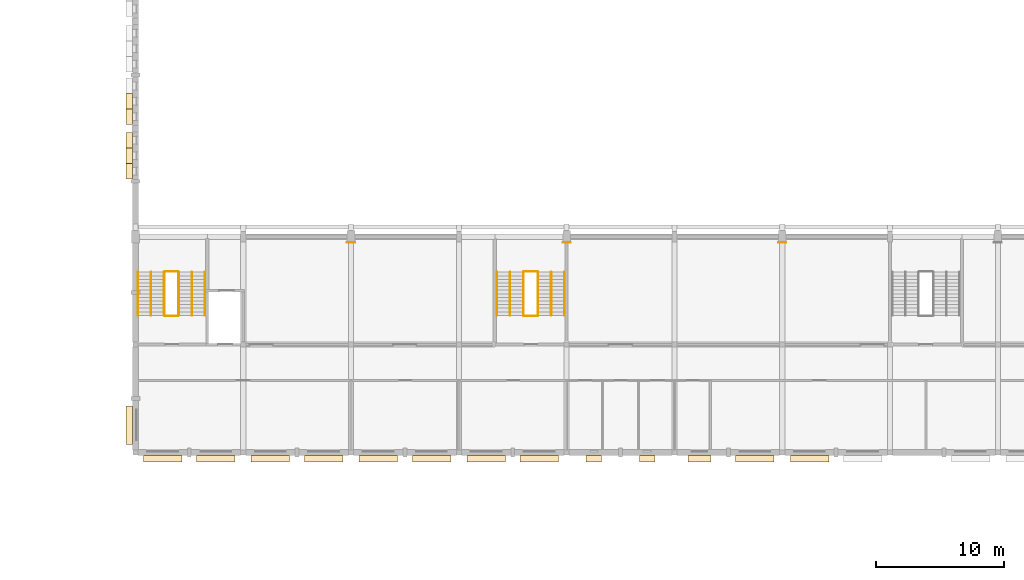
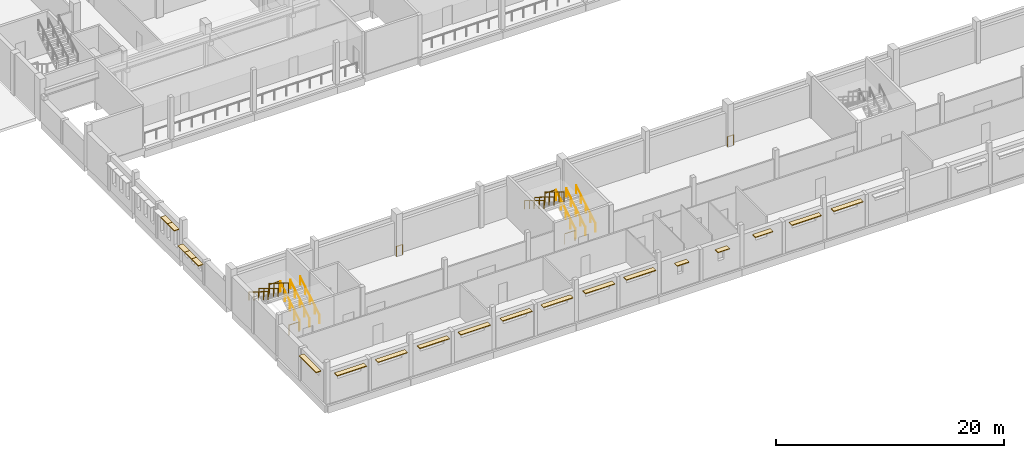
# One storey, part 51 of 60: 19 coverings, 19 railings.
"""IFC4 building model written with IfcOpenShell, lengths in metres."""

from ifc_helpers import new_model, si_unit, direction, frame, origin, origin_2d, place, context, subcontext, project, spatial, rectangle, circle, extrude, material, layer, layer_set, type_object, element, save


model = new_model("IFC4")

# Units and contexts
model_context = context("Model", 3, precision=1e-05, world=origin(), true_north=direction((0.0, 1.0)))
body_context = subcontext(model_context, "Body", "Model", "MODEL_VIEW")
ifc_project = project(units=[si_unit("LENGTHUNIT", "METRE"), si_unit("AREAUNIT", "SQUARE_METRE"), si_unit("VOLUMEUNIT", "CUBIC_METRE"), si_unit("PLANEANGLEUNIT", "RADIAN"), si_unit("MASSUNIT", "GRAM", prefix="KILO")], contexts=[model_context])

# Site, building, storey
site_placement = place(None, origin())
site = spatial("IfcSite", under=ifc_project, at=site_placement, CompositionType="ELEMENT")
building_placement = place(site_placement, origin())
building = spatial("IfcBuilding", under=site, at=building_placement, Name="Fescue Hill Polytechnic", CompositionType="ELEMENT")
storey_placement = place(building_placement, frame((0.0, 0.0, 4.5)))
storey = spatial("IfcBuildingStorey", under=building, at=storey_placement, Name="L01", CompositionType="ELEMENT", Elevation=4.5)

# Coverings
ifc_material_1 = material(Name="Precast concrete C40/50", Category="concrete")
ifc_layer = layer(ifc_material_1, 0.080078125)
ifc_layer_set = layer_set([ifc_layer], Name="Precast concrete C40/50")
covering_type = type_object("IfcCoveringType", Name="Shade blade precast 500x80", PredefinedType="CLADDING", material=ifc_layer_set)
for number, where, z_axis, x_axis, name in (
    (1, (-0.489990234375, 2.125, 3.050048828125), (0.0, 0.0, 1.0), (0.0, -1.0, 0.0), "SB-L01-V1-1"),
    (2, (2.125, -0.489990234375, 3.050048828125), (0.0, 0.0, 1.0), (1.0, 0.0, 0.0), "SB-L01-V1-2"),
    (3, (6.27490234375, -0.489990234375, 3.050048828125), (0.0, 0.0, 1.0), (1.0, 0.0, 0.0), "SB-L01-V1-3"),
    (4, (10.52490234375, -0.489990234375, 3.050048828125), (0.0, 0.0, 1.0), (1.0, 0.0, 0.0), "SB-L01-V1-4"),
    (5, (14.675048828125, -0.489990234375, 3.050048828125), (0.0, 0.0, 1.0), (1.0, 0.0, 0.0), "SB-L01-V1-5"),
    (6, (18.925048828125, -0.489990234375, 3.050048828125), (0.0, 0.0, 1.0), (1.0, 0.0, 0.0), "SB-L01-V1-6"),
    (7, (23.074951171875, -0.489990234375, 3.050048828125), (0.0, 0.0, 1.0), (1.0, 0.0, 0.0), "SB-L01-V1-7"),
    (8, (27.324951171875, -0.489990234375, 3.050048828125), (0.0, 0.0, 1.0), (1.0, 0.0, 0.0), "SB-L01-V1-8"),
    (9, (31.47509765625, -0.489990234375, 3.050048828125), (0.0, 0.0, 1.0), (1.0, 0.0, 0.0), "SB-L01-V1-9"),
):
    element("IfcCovering", number, at=place(storey_placement, frame(where, z_axis=z_axis, x_axis=x_axis)), inside=storey, type_object=covering_type, Name=name, PredefinedType="CLADDING", context=body_context, shape_type="SweptSolid", body=[
        extrude(rectangle(XDim=3.0, YDim=0.5, at=origin_2d()), origin(), (0.0, 0.0, 1.0), 0.080078125),
    ])
for number, where, z_axis, x_axis, name in (
    (10, (35.72509765625, -0.489990234375, 2.75), (0.0, 0.0, 1.0), (1.0, 0.0, 0.0), "SB-L01-V1-10"),
    (11, (39.875, -0.489990234375, 2.75), (0.0, 0.0, 1.0), (1.0, 0.0, 0.0), "SB-L01-V1-11"),
):
    element("IfcCovering", number, at=place(storey_placement, frame(where, z_axis=z_axis, x_axis=x_axis)), inside=storey, type_object=covering_type, Name=name, PredefinedType="CLADDING", context=body_context, shape_type="SweptSolid", body=[
        extrude(rectangle(XDim=1.199951171875, YDim=0.5, at=origin_2d()), origin(), (0.0, 0.0, 1.0), 0.080078125),
    ])
covering_placement = place(storey_placement, frame((43.949951171875, -0.489990234375, 3.050048828125), z_axis=(0.0, 0.0, 1.0), x_axis=(1.0, 0.0, 0.0)))
element("IfcCovering", 12, at=covering_placement, inside=storey, type_object=covering_type, Name="SB-L01-V1-12", PredefinedType="CLADDING", context=body_context, shape_type="SweptSolid", body=[
    extrude(rectangle(XDim=1.800048828125, YDim=0.5, at=origin_2d()), origin(), (0.0, 0.0, 1.0), 0.080078125),
])
for number, where, z_axis, x_axis, name in (
    (13, (48.27490234375, -0.489990234375, 3.050048828125), (0.0, 0.0, 1.0), (1.0, 0.0, 0.0), "SB-L01-V1-13"),
    (14, (52.52490234375, -0.489990234375, 3.050048828125), (0.0, 0.0, 1.0), (1.0, 0.0, 0.0), "SB-L01-V1-14"),
):
    element("IfcCovering", number, at=place(storey_placement, frame(where, z_axis=z_axis, x_axis=x_axis)), inside=storey, type_object=covering_type, Name=name, PredefinedType="CLADDING", context=body_context, shape_type="SweptSolid", body=[
        extrude(rectangle(XDim=3.0, YDim=0.5, at=origin_2d()), origin(), (0.0, 0.0, 1.0), 0.080078125),
    ])
for number, where, z_axis, x_axis, name in (
    (15, (-0.489990234375, 27.35009765625, 3.14990234375), (0.0, 0.0, 1.0), (0.0, -1.0, 0.0), "SB-L01-V1-35"),
    (16, (-0.489990234375, 26.14990234375, 3.14990234375), (0.0, 0.0, 1.0), (0.0, -1.0, 0.0), "SB-L01-V1-36"),
    (17, (-0.489990234375, 24.3125, 1.949951171875), (0.0, 0.0, 1.0), (0.0, -1.0, 0.0), "SB-L01-V1-37"),
    (18, (-0.489990234375, 23.112548828125, 1.949951171875), (0.0, 0.0, 1.0), (0.0, -1.0, 0.0), "SB-L01-V1-38"),
    (19, (-0.489990234375, 21.91259765625, 1.949951171875), (0.0, 0.0, 1.0), (0.0, -1.0, 0.0), "SB-L01-V1-39"),
):
    element("IfcCovering", number, at=place(storey_placement, frame(where, z_axis=z_axis, x_axis=x_axis)), inside=storey, type_object=covering_type, Name=name, PredefinedType="CLADDING", context=body_context, shape_type="SweptSolid", body=[
        extrude(rectangle(XDim=1.199951171875, YDim=0.5, at=origin_2d()), origin(), (0.0, 0.0, 1.0), 0.080078125),
    ])

# Railings
ifc_material_2 = material(Name="Steel 350W (350 MPa)", Category="steel")
railing_type_1 = type_object("IfcRailingType", Name="Stair guard steel 1100", PredefinedType="GUARDRAIL", material=ifc_material_2)
railing_1_placement = place(storey_placement, frame((3.375, 10.675048828125, 0.173095703125)))
element("IfcRailing", 20, at=railing_1_placement, inside=storey, type_object=railing_type_1, Name="L01 ST-V1-1 stair guard 1", PredefinedType="GUARDRAIL", context=body_context, shape_type="SweptSolid", body=[
    extrude(circle(Radius=0.02392578125, at=origin_2d()), frame((0.0, 0.0, 1.076171875), z_axis=(0.0, 0.850606129759, 0.525803396734), x_axis=(-1.0, 0.0, 0.0)), (0.0, 0.0, 1.0), 3.949951171875),
    extrude(circle(Radius=0.02099609375, at=origin_2d()), origin(), (0.0, 0.0, 1.0), 1.052001953125),
    extrude(circle(Radius=0.02099609375, at=origin_2d()), frame((0.0, 0.83984375, 0.519287109375)), (0.0, 0.0, 1.0), 1.052001953125),
    extrude(circle(Radius=0.02099609375, at=origin_2d()), frame((0.0, 1.679931640625, 1.03857421875)), (0.0, 0.0, 1.0), 1.052001953125),
    extrude(circle(Radius=0.02099609375, at=origin_2d()), frame((0.0, 2.52001953125, 1.5576171875)), (0.0, 0.0, 1.0), 1.052001953125),
    extrude(circle(Radius=0.02099609375, at=origin_2d()), frame((0.0, 3.35986328125, 2.076904296875)), (0.0, 0.0, 1.0), 1.052001953125),
])
railing_2_placement = place(storey_placement, frame((3.324951171875, 14.0849609375, 2.25)))
element("IfcRailing", 21, at=railing_2_placement, inside=storey, type_object=railing_type_1, Name="L01 ST-V1-1 stair guard 2", PredefinedType="GUARDRAIL", context=body_context, shape_type="SweptSolid", body=[
    extrude(circle(Radius=0.02392578125, at=origin_2d()), frame((0.0, 0.0, 1.076171875), z_axis=(-1.0, 0.0, 0.0), x_axis=(0.0, -1.0, 0.0)), (0.0, 0.0, 1.0), 1.02490234375),
    extrude(circle(Radius=0.02099609375, at=origin_2d()), origin(), (0.0, 0.0, 1.0), 1.052001953125),
    extrude(circle(Radius=0.02099609375, at=origin_2d()), frame((-1.02490234375, 0.0, 0.0)), (0.0, 0.0, 1.0), 1.052001953125),
])
railing_3_placement = place(storey_placement, frame((2.25, 14.034912109375, 2.423095703125)))
element("IfcRailing", 22, at=railing_3_placement, inside=storey, type_object=railing_type_1, Name="L01 ST-V1-1 stair guard 3", PredefinedType="GUARDRAIL", context=body_context, shape_type="SweptSolid", body=[
    extrude(circle(Radius=0.02392578125, at=origin_2d()), frame((0.0, 0.0, 1.076171875), z_axis=(0.0, -0.850606129759, 0.525803396734), x_axis=(1.0, 0.0, 0.0)), (0.0, 0.0, 1.0), 3.949951171875),
    extrude(circle(Radius=0.02099609375, at=origin_2d()), origin(), (0.0, 0.0, 1.0), 1.052001953125),
    extrude(circle(Radius=0.02099609375, at=origin_2d()), frame((0.0, -0.83984375, 0.519287109375)), (0.0, 0.0, 1.0), 1.052001953125),
    extrude(circle(Radius=0.02099609375, at=origin_2d()), frame((0.0, -1.679931640625, 1.03857421875)), (0.0, 0.0, 1.0), 1.052001953125),
    extrude(circle(Radius=0.02099609375, at=origin_2d()), frame((0.0, -2.52001953125, 1.5576171875)), (0.0, 0.0, 1.0), 1.052001953125),
    extrude(circle(Radius=0.02099609375, at=origin_2d()), frame((0.0, -3.35986328125, 2.076904296875)), (0.0, 0.0, 1.0), 1.052001953125),
])
railing_4_placement = place(storey_placement, frame((3.324951171875, 10.625, 0.0)))
element("IfcRailing", 23, at=railing_4_placement, inside=storey, type_object=railing_type_1, Name="L01 ST-V1-1 stair guard 4", PredefinedType="GUARDRAIL", context=body_context, shape_type="SweptSolid", body=[
    extrude(circle(Radius=0.02392578125, at=origin_2d()), frame((0.0, 0.0, 1.076171875), z_axis=(-1.0, 0.0, 0.0), x_axis=(0.0, -1.0, 0.0)), (0.0, 0.0, 1.0), 1.02490234375),
    extrude(circle(Radius=0.02099609375, at=origin_2d()), origin(), (0.0, 0.0, 1.0), 1.052001953125),
    extrude(circle(Radius=0.02099609375, at=origin_2d()), frame((-1.02490234375, 0.0, 0.0)), (0.0, 0.0, 1.0), 1.052001953125),
])
railing_5_placement = place(storey_placement, frame((31.375, 10.675048828125, 0.173095703125)))
element("IfcRailing", 24, at=railing_5_placement, inside=storey, type_object=railing_type_1, Name="L01 ST-V1-2 stair guard 1", PredefinedType="GUARDRAIL", context=body_context, shape_type="SweptSolid", body=[
    extrude(circle(Radius=0.02392578125, at=origin_2d()), frame((0.0, 0.0, 1.076171875), z_axis=(0.0, 0.850606129759, 0.525803396734), x_axis=(-1.0, 0.0, 0.0)), (0.0, 0.0, 1.0), 3.949951171875),
    extrude(circle(Radius=0.02099609375, at=origin_2d()), origin(), (0.0, 0.0, 1.0), 1.052001953125),
    extrude(circle(Radius=0.02099609375, at=origin_2d()), frame((0.0, 0.83984375, 0.519287109375)), (0.0, 0.0, 1.0), 1.052001953125),
    extrude(circle(Radius=0.02099609375, at=origin_2d()), frame((0.0, 1.679931640625, 1.03857421875)), (0.0, 0.0, 1.0), 1.052001953125),
    extrude(circle(Radius=0.02099609375, at=origin_2d()), frame((0.0, 2.52001953125, 1.5576171875)), (0.0, 0.0, 1.0), 1.052001953125),
    extrude(circle(Radius=0.02099609375, at=origin_2d()), frame((0.0, 3.35986328125, 2.076904296875)), (0.0, 0.0, 1.0), 1.052001953125),
])
railing_6_placement = place(storey_placement, frame((31.324951171875, 14.0849609375, 2.25)))
element("IfcRailing", 25, at=railing_6_placement, inside=storey, type_object=railing_type_1, Name="L01 ST-V1-2 stair guard 2", PredefinedType="GUARDRAIL", context=body_context, shape_type="SweptSolid", body=[
    extrude(circle(Radius=0.02392578125, at=origin_2d()), frame((0.0, 0.0, 1.076171875), z_axis=(-1.0, 0.0, 0.0), x_axis=(0.0, -1.0, 0.0)), (0.0, 0.0, 1.0), 1.050048828125),
    extrude(circle(Radius=0.02099609375, at=origin_2d()), origin(), (0.0, 0.0, 1.0), 1.052001953125),
    extrude(circle(Radius=0.02099609375, at=origin_2d()), frame((-1.050048828125, 0.0, 0.0)), (0.0, 0.0, 1.0), 1.052001953125),
])
railing_7_placement = place(storey_placement, frame((30.22509765625, 14.034912109375, 2.423095703125)))
element("IfcRailing", 26, at=railing_7_placement, inside=storey, type_object=railing_type_1, Name="L01 ST-V1-2 stair guard 3", PredefinedType="GUARDRAIL", context=body_context, shape_type="SweptSolid", body=[
    extrude(circle(Radius=0.02392578125, at=origin_2d()), frame((0.0, 0.0, 1.076171875), z_axis=(0.0, -0.850606129759, 0.525803396734), x_axis=(1.0, 0.0, 0.0)), (0.0, 0.0, 1.0), 3.949951171875),
    extrude(circle(Radius=0.02099609375, at=origin_2d()), origin(), (0.0, 0.0, 1.0), 1.052001953125),
    extrude(circle(Radius=0.02099609375, at=origin_2d()), frame((0.0, -0.83984375, 0.519287109375)), (0.0, 0.0, 1.0), 1.052001953125),
    extrude(circle(Radius=0.02099609375, at=origin_2d()), frame((0.0, -1.679931640625, 1.03857421875)), (0.0, 0.0, 1.0), 1.052001953125),
    extrude(circle(Radius=0.02099609375, at=origin_2d()), frame((0.0, -2.52001953125, 1.5576171875)), (0.0, 0.0, 1.0), 1.052001953125),
    extrude(circle(Radius=0.02099609375, at=origin_2d()), frame((0.0, -3.35986328125, 2.076904296875)), (0.0, 0.0, 1.0), 1.052001953125),
])
railing_8_placement = place(storey_placement, frame((31.324951171875, 10.625, 0.0)))
element("IfcRailing", 27, at=railing_8_placement, inside=storey, type_object=railing_type_1, Name="L01 ST-V1-2 stair guard 4", PredefinedType="GUARDRAIL", context=body_context, shape_type="SweptSolid", body=[
    extrude(circle(Radius=0.02392578125, at=origin_2d()), frame((0.0, 0.0, 1.076171875), z_axis=(-1.0, 0.0, 0.0), x_axis=(0.0, -1.0, 0.0)), (0.0, 0.0, 1.0), 1.050048828125),
    extrude(circle(Radius=0.02099609375, at=origin_2d()), origin(), (0.0, 0.0, 1.0), 1.052001953125),
    extrude(circle(Radius=0.02099609375, at=origin_2d()), frame((-1.050048828125, 0.0, 0.0)), (0.0, 0.0, 1.0), 1.052001953125),
])
railing_type_2 = type_object("IfcRailingType", Name="Stair handrail steel 900", PredefinedType="HANDRAIL", material=ifc_material_2)
railing_9_placement = place(storey_placement, frame((5.425048828125, 10.675048828125, 0.173095703125)))
element("IfcRailing", 28, at=railing_9_placement, inside=storey, type_object=railing_type_2, Name="L01 ST-V1-1 stair handrail 1", PredefinedType="HANDRAIL", context=body_context, shape_type="SweptSolid", body=[
    extrude(circle(Radius=0.02392578125, at=origin_2d()), frame((0.0, 0.0, 0.8759765625), z_axis=(0.0, 0.850606129759, 0.525803396734), x_axis=(-1.0, 0.0, 0.0)), (0.0, 0.0, 1.0), 3.949951171875),
    extrude(circle(Radius=0.02099609375, at=origin_2d()), origin(), (0.0, 0.0, 1.0), 0.851806640625),
    extrude(circle(Radius=0.02099609375, at=origin_2d()), frame((0.0, 0.83984375, 0.519287109375)), (0.0, 0.0, 1.0), 0.851806640625),
    extrude(circle(Radius=0.02099609375, at=origin_2d()), frame((0.0, 1.679931640625, 1.03857421875)), (0.0, 0.0, 1.0), 0.851806640625),
    extrude(circle(Radius=0.02099609375, at=origin_2d()), frame((0.0, 2.52001953125, 1.5576171875)), (0.0, 0.0, 1.0), 0.851806640625),
    extrude(circle(Radius=0.02099609375, at=origin_2d()), frame((0.0, 3.35986328125, 2.076904296875)), (0.0, 0.0, 1.0), 0.851806640625),
])
railing_10_placement = place(storey_placement, frame((0.199951171875, 14.034912109375, 2.423095703125)))
element("IfcRailing", 29, at=railing_10_placement, inside=storey, type_object=railing_type_2, Name="L01 ST-V1-1 stair handrail 2", PredefinedType="HANDRAIL", context=body_context, shape_type="SweptSolid", body=[
    extrude(circle(Radius=0.02392578125, at=origin_2d()), frame((0.0, 0.0, 0.8759765625), z_axis=(0.0, -0.850606129759, 0.525803396734), x_axis=(1.0, 0.0, 0.0)), (0.0, 0.0, 1.0), 3.949951171875),
    extrude(circle(Radius=0.02099609375, at=origin_2d()), origin(), (0.0, 0.0, 1.0), 0.851806640625),
    extrude(circle(Radius=0.02099609375, at=origin_2d()), frame((0.0, -0.83984375, 0.519287109375)), (0.0, 0.0, 1.0), 0.851806640625),
    extrude(circle(Radius=0.02099609375, at=origin_2d()), frame((0.0, -1.679931640625, 1.03857421875)), (0.0, 0.0, 1.0), 0.851806640625),
    extrude(circle(Radius=0.02099609375, at=origin_2d()), frame((0.0, -2.52001953125, 1.5576171875)), (0.0, 0.0, 1.0), 0.851806640625),
    extrude(circle(Radius=0.02099609375, at=origin_2d()), frame((0.0, -3.35986328125, 2.076904296875)), (0.0, 0.0, 1.0), 0.851806640625),
])
railing_11_placement = place(storey_placement, frame((4.39990234375, 10.675048828125, 0.173095703125)))
element("IfcRailing", 30, at=railing_11_placement, inside=storey, type_object=railing_type_2, Name="L01 ST-V1-1 stair handrail 3", PredefinedType="HANDRAIL", context=body_context, shape_type="SweptSolid", body=[
    extrude(circle(Radius=0.02392578125, at=origin_2d()), frame((0.0, 0.0, 0.8759765625), z_axis=(0.0, 0.850606129759, 0.525803396734), x_axis=(-1.0, 0.0, 0.0)), (0.0, 0.0, 1.0), 3.949951171875),
    extrude(circle(Radius=0.02099609375, at=origin_2d()), origin(), (0.0, 0.0, 1.0), 0.851806640625),
    extrude(circle(Radius=0.02099609375, at=origin_2d()), frame((0.0, 0.83984375, 0.519287109375)), (0.0, 0.0, 1.0), 0.851806640625),
    extrude(circle(Radius=0.02099609375, at=origin_2d()), frame((0.0, 1.679931640625, 1.03857421875)), (0.0, 0.0, 1.0), 0.851806640625),
    extrude(circle(Radius=0.02099609375, at=origin_2d()), frame((0.0, 2.52001953125, 1.5576171875)), (0.0, 0.0, 1.0), 0.851806640625),
    extrude(circle(Radius=0.02099609375, at=origin_2d()), frame((0.0, 3.35986328125, 2.076904296875)), (0.0, 0.0, 1.0), 0.851806640625),
])
railing_12_placement = place(storey_placement, frame((1.22509765625, 14.034912109375, 2.423095703125)))
element("IfcRailing", 31, at=railing_12_placement, inside=storey, type_object=railing_type_2, Name="L01 ST-V1-1 stair handrail 4", PredefinedType="HANDRAIL", context=body_context, shape_type="SweptSolid", body=[
    extrude(circle(Radius=0.02392578125, at=origin_2d()), frame((0.0, 0.0, 0.8759765625), z_axis=(0.0, -0.850606129759, 0.525803396734), x_axis=(1.0, 0.0, 0.0)), (0.0, 0.0, 1.0), 3.949951171875),
    extrude(circle(Radius=0.02099609375, at=origin_2d()), origin(), (0.0, 0.0, 1.0), 0.851806640625),
    extrude(circle(Radius=0.02099609375, at=origin_2d()), frame((0.0, -0.83984375, 0.519287109375)), (0.0, 0.0, 1.0), 0.851806640625),
    extrude(circle(Radius=0.02099609375, at=origin_2d()), frame((0.0, -1.679931640625, 1.03857421875)), (0.0, 0.0, 1.0), 0.851806640625),
    extrude(circle(Radius=0.02099609375, at=origin_2d()), frame((0.0, -2.52001953125, 1.5576171875)), (0.0, 0.0, 1.0), 0.851806640625),
    extrude(circle(Radius=0.02099609375, at=origin_2d()), frame((0.0, -3.35986328125, 2.076904296875)), (0.0, 0.0, 1.0), 0.851806640625),
])
railing_13_placement = place(storey_placement, frame((33.425048828125, 10.675048828125, 0.173095703125)))
element("IfcRailing", 32, at=railing_13_placement, inside=storey, type_object=railing_type_2, Name="L01 ST-V1-2 stair handrail 1", PredefinedType="HANDRAIL", context=body_context, shape_type="SweptSolid", body=[
    extrude(circle(Radius=0.02392578125, at=origin_2d()), frame((0.0, 0.0, 0.8759765625), z_axis=(0.0, 0.850606129759, 0.525803396734), x_axis=(-1.0, 0.0, 0.0)), (0.0, 0.0, 1.0), 3.949951171875),
    extrude(circle(Radius=0.02099609375, at=origin_2d()), origin(), (0.0, 0.0, 1.0), 0.851806640625),
    extrude(circle(Radius=0.02099609375, at=origin_2d()), frame((0.0, 0.83984375, 0.519287109375)), (0.0, 0.0, 1.0), 0.851806640625),
    extrude(circle(Radius=0.02099609375, at=origin_2d()), frame((0.0, 1.679931640625, 1.03857421875)), (0.0, 0.0, 1.0), 0.851806640625),
    extrude(circle(Radius=0.02099609375, at=origin_2d()), frame((0.0, 2.52001953125, 1.5576171875)), (0.0, 0.0, 1.0), 0.851806640625),
    extrude(circle(Radius=0.02099609375, at=origin_2d()), frame((0.0, 3.35986328125, 2.076904296875)), (0.0, 0.0, 1.0), 0.851806640625),
])
railing_14_placement = place(storey_placement, frame((28.175048828125, 14.034912109375, 2.423095703125)))
element("IfcRailing", 33, at=railing_14_placement, inside=storey, type_object=railing_type_2, Name="L01 ST-V1-2 stair handrail 2", PredefinedType="HANDRAIL", context=body_context, shape_type="SweptSolid", body=[
    extrude(circle(Radius=0.02392578125, at=origin_2d()), frame((0.0, 0.0, 0.8759765625), z_axis=(0.0, -0.850606129759, 0.525803396734), x_axis=(1.0, 0.0, 0.0)), (0.0, 0.0, 1.0), 3.949951171875),
    extrude(circle(Radius=0.02099609375, at=origin_2d()), origin(), (0.0, 0.0, 1.0), 0.851806640625),
    extrude(circle(Radius=0.02099609375, at=origin_2d()), frame((0.0, -0.83984375, 0.519287109375)), (0.0, 0.0, 1.0), 0.851806640625),
    extrude(circle(Radius=0.02099609375, at=origin_2d()), frame((0.0, -1.679931640625, 1.03857421875)), (0.0, 0.0, 1.0), 0.851806640625),
    extrude(circle(Radius=0.02099609375, at=origin_2d()), frame((0.0, -2.52001953125, 1.5576171875)), (0.0, 0.0, 1.0), 0.851806640625),
    extrude(circle(Radius=0.02099609375, at=origin_2d()), frame((0.0, -3.35986328125, 2.076904296875)), (0.0, 0.0, 1.0), 0.851806640625),
])
railing_15_placement = place(storey_placement, frame((32.39990234375, 10.675048828125, 0.173095703125)))
element("IfcRailing", 34, at=railing_15_placement, inside=storey, type_object=railing_type_2, Name="L01 ST-V1-2 stair handrail 3", PredefinedType="HANDRAIL", context=body_context, shape_type="SweptSolid", body=[
    extrude(circle(Radius=0.02392578125, at=origin_2d()), frame((0.0, 0.0, 0.8759765625), z_axis=(0.0, 0.850606129759, 0.525803396734), x_axis=(-1.0, 0.0, 0.0)), (0.0, 0.0, 1.0), 3.949951171875),
    extrude(circle(Radius=0.02099609375, at=origin_2d()), origin(), (0.0, 0.0, 1.0), 0.851806640625),
    extrude(circle(Radius=0.02099609375, at=origin_2d()), frame((0.0, 0.83984375, 0.519287109375)), (0.0, 0.0, 1.0), 0.851806640625),
    extrude(circle(Radius=0.02099609375, at=origin_2d()), frame((0.0, 1.679931640625, 1.03857421875)), (0.0, 0.0, 1.0), 0.851806640625),
    extrude(circle(Radius=0.02099609375, at=origin_2d()), frame((0.0, 2.52001953125, 1.5576171875)), (0.0, 0.0, 1.0), 0.851806640625),
    extrude(circle(Radius=0.02099609375, at=origin_2d()), frame((0.0, 3.35986328125, 2.076904296875)), (0.0, 0.0, 1.0), 0.851806640625),
])
railing_16_placement = place(storey_placement, frame((29.199951171875, 14.034912109375, 2.423095703125)))
element("IfcRailing", 35, at=railing_16_placement, inside=storey, type_object=railing_type_2, Name="L01 ST-V1-2 stair handrail 4", PredefinedType="HANDRAIL", context=body_context, shape_type="SweptSolid", body=[
    extrude(circle(Radius=0.02392578125, at=origin_2d()), frame((0.0, 0.0, 0.8759765625), z_axis=(0.0, -0.850606129759, 0.525803396734), x_axis=(1.0, 0.0, 0.0)), (0.0, 0.0, 1.0), 3.949951171875),
    extrude(circle(Radius=0.02099609375, at=origin_2d()), origin(), (0.0, 0.0, 1.0), 0.851806640625),
    extrude(circle(Radius=0.02099609375, at=origin_2d()), frame((0.0, -0.83984375, 0.519287109375)), (0.0, 0.0, 1.0), 0.851806640625),
    extrude(circle(Radius=0.02099609375, at=origin_2d()), frame((0.0, -1.679931640625, 1.03857421875)), (0.0, 0.0, 1.0), 0.851806640625),
    extrude(circle(Radius=0.02099609375, at=origin_2d()), frame((0.0, -2.52001953125, 1.5576171875)), (0.0, 0.0, 1.0), 0.851806640625),
    extrude(circle(Radius=0.02099609375, at=origin_2d()), frame((0.0, -3.35986328125, 2.076904296875)), (0.0, 0.0, 1.0), 0.851806640625),
])
railing_type_3 = type_object("IfcRailingType", Name="Void edge guard steel 1100", PredefinedType="GUARDRAIL", material=ifc_material_2)
for number, where, name in (
    (36, (50.699951171875, 16.35009765625, 0.0), "L01 V1 void edge guard 4"),
    (37, (33.89990234375, 16.35009765625, 0.0), "L01 V1 void edge guard 5"),
):
    element("IfcRailing", number, at=place(storey_placement, frame(where)), inside=storey, type_object=railing_type_3, Name=name, PredefinedType="GUARDRAIL", context=body_context, shape_type="SweptSolid", body=[
        extrude(circle(Radius=0.02392578125, at=origin_2d()), frame((0.0, 0.0, 1.076171875), z_axis=(-1.0, 0.0, 0.0), x_axis=(0.0, -1.0, 0.0)), (0.0, 0.0, 1.0), 0.599853515625),
        extrude(circle(Radius=0.02099609375, at=origin_2d()), origin(), (0.0, 0.0, 1.0), 1.052001953125),
        extrude(circle(Radius=0.02099609375, at=origin_2d()), frame((-0.599853515625, 0.0, 0.0)), (0.0, 0.0, 1.0), 1.052001953125),
    ])
railing_17_placement = place(storey_placement, frame((17.10009765625, 16.35009765625, 0.0)))
element("IfcRailing", 38, at=railing_17_placement, inside=storey, type_object=railing_type_3, Name="L01 V1 void edge guard 6", PredefinedType="GUARDRAIL", context=body_context, shape_type="SweptSolid", body=[
    extrude(circle(Radius=0.02392578125, at=origin_2d()), frame((0.0, 0.0, 1.076171875), z_axis=(-1.0, 0.0, 0.0), x_axis=(0.0, -1.0, 0.0)), (0.0, 0.0, 1.0), 0.60009765625),
    extrude(circle(Radius=0.02099609375, at=origin_2d()), origin(), (0.0, 0.0, 1.0), 1.052001953125),
    extrude(circle(Radius=0.02099609375, at=origin_2d()), frame((-0.60009765625, 0.0, 0.0)), (0.0, 0.0, 1.0), 1.052001953125),
])

save(model, "model.ifc")
